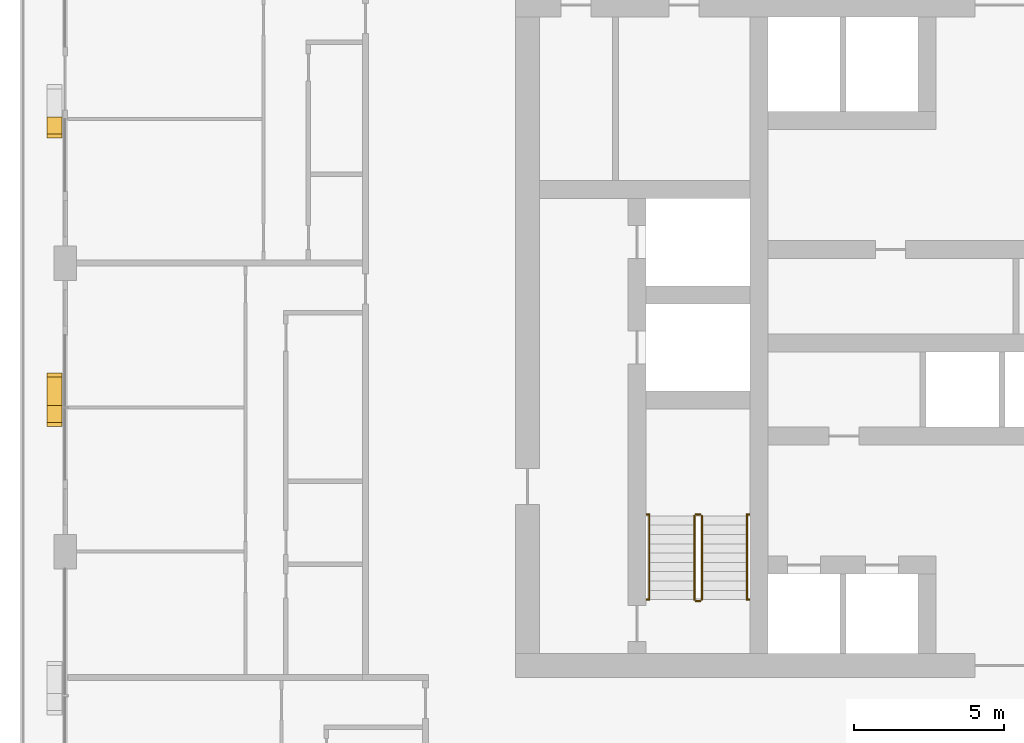
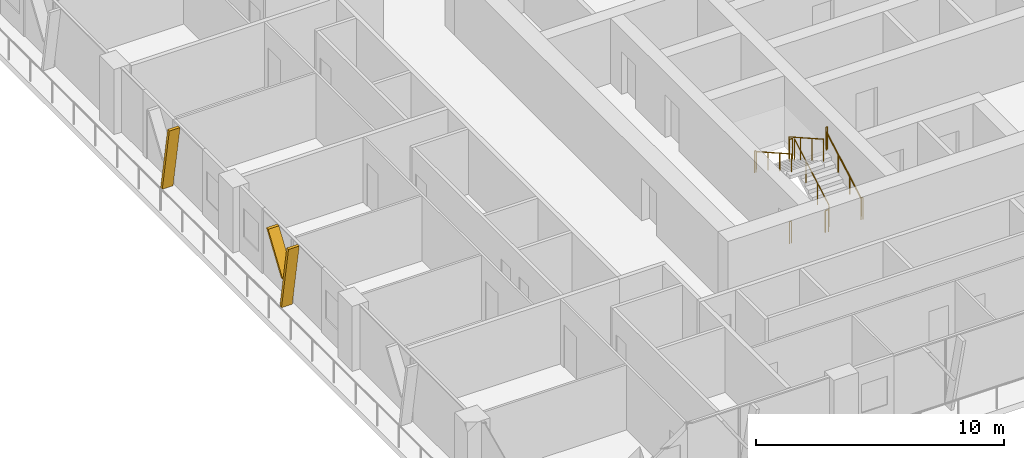
# One storey, part 17 of 22: 10 railings, 3 shading devices.
"""IFC4 building model written with IfcOpenShell, lengths in metres."""

from ifc_helpers import new_model, si_unit, direction, frame, origin, origin_2d, place, context, subcontext, project, spatial, polyline, circle, outline, extrude, material, type_object, element, save


model = new_model("IFC4")

# Units and contexts
model_context = context("Model", 3, precision=1e-05, world=origin(), true_north=direction((0.0, 1.0)))
body_context = subcontext(model_context, "Body", "Model", "MODEL_VIEW")
ifc_project = project(units=[si_unit("LENGTHUNIT", "METRE"), si_unit("AREAUNIT", "SQUARE_METRE"), si_unit("VOLUMEUNIT", "CUBIC_METRE"), si_unit("PLANEANGLEUNIT", "RADIAN"), si_unit("MASSUNIT", "GRAM", prefix="KILO")], contexts=[model_context])

# Site, building, storey
site_placement = place(None, origin())
site = spatial("IfcSite", under=ifc_project, at=site_placement, CompositionType="ELEMENT")
building_placement = place(site_placement, origin())
building = spatial("IfcBuilding", under=site, at=building_placement, Name="Madar Terraces", CompositionType="ELEMENT")
storey_placement = place(building_placement, frame((0.0, 0.0, 119.10009765625)))
storey = spatial("IfcBuildingStorey", under=building, at=storey_placement, Name="L30", CompositionType="ELEMENT", Elevation=119.10009765625)

# Shading devices
ifc_material_1 = material(Name="Aluminium, black anodised", Category="aluminium")
shading_device_type = type_object("IfcShadingDeviceType", Name="Facade fin blade 140 x 500", PredefinedType="USERDEFINED", material=ifc_material_1)
shading_device_1_placement = place(storey_placement, frame((-0.35009765625, 33.669921875, 0.0), z_axis=(0.0, 0.0, 1.0), x_axis=(0.0, -1.0, 0.0)))
element("IfcShadingDevice", 1, at=shading_device_1_placement, inside=storey, type_object=shading_device_type, Name="FIN L30 W2", ObjectType="FIN", PredefinedType="USERDEFINED", context=body_context, shape_type="SweptSolid", body=[
    extrude(outline(polyline([(0.0, 0.0), (0.139892578125, 0.0), (0.704345703125, 3.199951171875), (0.564208984375, 3.199951171875), (0.0, 0.0)])), frame((0.0, 0.25, 0.0), z_axis=(0.0, -1.0, 0.0), x_axis=(1.0, 0.0, 0.0)), (0.0, 0.0, 1.0), 0.5),
])
shading_device_2_placement = place(storey_placement, frame((-0.35009765625, 24.070068359375, 0.0), z_axis=(0.0, 0.0, 1.0), x_axis=(0.0, -1.0, 0.0)))
element("IfcShadingDevice", 2, at=shading_device_2_placement, inside=storey, type_object=shading_device_type, Name="FIN L30 W3", ObjectType="FIN", PredefinedType="USERDEFINED", context=body_context, shape_type="SweptSolid", body=[
    extrude(outline(polyline([(0.0, 0.0), (0.14013671875, 0.0), (0.704345703125, 3.199951171875), (0.564208984375, 3.199951171875), (0.0, 0.0)])), frame((0.0, 0.25, 0.0), z_axis=(0.0, -1.0, 0.0), x_axis=(1.0, 0.0, 0.0)), (0.0, 0.0, 1.0), 0.5),
])
shading_device_3_placement = place(storey_placement, frame((-0.35009765625, 23.9560546875, 1.43994140625), z_axis=(0.0, 0.0, 1.0), x_axis=(0.0, -1.0, 0.0)))
element("IfcShadingDevice", 3, at=shading_device_3_placement, inside=storey, type_object=shading_device_type, Name="FIN L30 W3 branch", ObjectType="FIN", PredefinedType="USERDEFINED", context=body_context, shape_type="SweptSolid", body=[
    extrude(outline(polyline([(0.0, 0.0), (0.139892578125, 0.0), (-1.049560546875, 1.760009765625), (-1.189697265625, 1.760009765625), (0.0, 0.0)])), frame((0.0, 0.25, 0.0), z_axis=(0.0, -1.0, 0.0), x_axis=(1.0, 0.0, 0.0)), (0.0, 0.0, 1.0), 0.5),
])

# Railings
ifc_material_2 = material(Name="Stainless steel railing", Category="steel")
railing_type_1 = type_object("IfcRailingType", Name="Stair guard 1100", PredefinedType="GUARDRAIL", material=ifc_material_2)
railing_1_placement = place(storey_placement, frame((21.199951171875, 17.60009765625, 0.1748046875)))
element("IfcRailing", 4, at=railing_1_placement, inside=storey, type_object=railing_type_1, Name="L30 ST1 stair guard 1", PredefinedType="GUARDRAIL", context=body_context, shape_type="SweptSolid", body=[
    extrude(circle(Radius=0.02392578125, at=origin_2d()), frame((0.0, 0.0, 1.076171875), z_axis=(0.0, 0.870782738816, 0.491667999549), x_axis=(-1.0, 0.0, 0.0)), (0.0, 0.0, 1.0), 3.203857421875),
    extrude(circle(Radius=0.02099609375, at=origin_2d()), origin(), (0.0, 0.0, 1.0), 1.052001953125),
    extrude(circle(Radius=0.02099609375, at=origin_2d()), frame((0.0, 0.929931640625, 0.525146484375)), (0.0, 0.0, 1.0), 1.052001953125),
    extrude(circle(Radius=0.02099609375, at=origin_2d()), frame((0.0, 1.85986328125, 1.050048828125)), (0.0, 0.0, 1.0), 1.052001953125),
    extrude(circle(Radius=0.02099609375, at=origin_2d()), frame((0.0, 2.789794921875, 1.5751953125)), (0.0, 0.0, 1.0), 1.052001953125),
])
railing_2_placement = place(storey_placement, frame((21.14990234375, 20.43994140625, 1.75)))
element("IfcRailing", 5, at=railing_2_placement, inside=storey, type_object=railing_type_1, Name="L30 ST1 stair guard 2", PredefinedType="GUARDRAIL", context=body_context, shape_type="SweptSolid", body=[
    extrude(circle(Radius=0.02392578125, at=origin_2d()), frame((0.0, 0.0, 1.076171875), z_axis=(-1.0, 0.0, 0.0), x_axis=(0.0, -1.0, 0.0)), (0.0, 0.0, 1.0), 0.14990234375),
    extrude(circle(Radius=0.02099609375, at=origin_2d()), origin(), (0.0, 0.0, 1.0), 1.052001953125),
    extrude(circle(Radius=0.02099609375, at=origin_2d()), frame((-0.14990234375, 0.0, 0.0)), (0.0, 0.0, 1.0), 1.052001953125),
])
railing_3_placement = place(storey_placement, frame((20.949951171875, 20.389892578125, 1.9248046875)))
element("IfcRailing", 6, at=railing_3_placement, inside=storey, type_object=railing_type_1, Name="L30 ST1 stair guard 3", PredefinedType="GUARDRAIL", context=body_context, shape_type="SweptSolid", body=[
    extrude(circle(Radius=0.02392578125, at=origin_2d()), frame((0.0, 0.0, 1.076171875), z_axis=(0.0, -0.870782738816, 0.491667999549), x_axis=(1.0, 0.0, 0.0)), (0.0, 0.0, 1.0), 3.203857421875),
    extrude(circle(Radius=0.02099609375, at=origin_2d()), origin(), (0.0, 0.0, 1.0), 1.052001953125),
    extrude(circle(Radius=0.02099609375, at=origin_2d()), frame((0.0, -0.929931640625, 0.525146484375)), (0.0, 0.0, 1.0), 1.052001953125),
    extrude(circle(Radius=0.02099609375, at=origin_2d()), frame((0.0, -1.85986328125, 1.050048828125)), (0.0, 0.0, 1.0), 1.052001953125),
    extrude(circle(Radius=0.02099609375, at=origin_2d()), frame((0.0, -2.789794921875, 1.5751953125)), (0.0, 0.0, 1.0), 1.052001953125),
])
railing_4_placement = place(storey_placement, frame((21.14990234375, 17.550048828125, 0.0)))
element("IfcRailing", 7, at=railing_4_placement, inside=storey, type_object=railing_type_1, Name="L30 ST1 stair guard 4", PredefinedType="GUARDRAIL", context=body_context, shape_type="SweptSolid", body=[
    extrude(circle(Radius=0.02392578125, at=origin_2d()), frame((0.0, 0.0, 1.076171875), z_axis=(-1.0, 0.0, 0.0), x_axis=(0.0, -1.0, 0.0)), (0.0, 0.0, 1.0), 0.14990234375),
    extrude(circle(Radius=0.02099609375, at=origin_2d()), origin(), (0.0, 0.0, 1.0), 1.052001953125),
    extrude(circle(Radius=0.02099609375, at=origin_2d()), frame((-0.14990234375, 0.0, 0.0)), (0.0, 0.0, 1.0), 1.052001953125),
])
railing_5_placement = place(storey_placement, frame((19.3701171875, 20.43994140625, 1.75)))
element("IfcRailing", 8, at=railing_5_placement, inside=storey, type_object=railing_type_1, Name="L30 stair guard seat 1", PredefinedType="GUARDRAIL", context=body_context, shape_type="SweptSolid", body=[
    extrude(circle(Radius=0.02392578125, at=origin_2d()), frame((0.0, 0.0, 1.076171875), z_axis=(1.0, 0.0, 0.0), x_axis=(0.0, 1.0, 0.0)), (0.0, 0.0, 1.0), 0.079833984375),
    extrude(circle(Radius=0.02099609375, at=origin_2d()), origin(), (0.0, 0.0, 1.0), 1.052001953125),
    extrude(circle(Radius=0.02099609375, at=origin_2d()), frame((0.079833984375, 0.0, 0.0)), (0.0, 0.0, 1.0), 1.052001953125),
])
railing_6_placement = place(storey_placement, frame((22.699951171875, 20.43994140625, 1.75)))
element("IfcRailing", 9, at=railing_6_placement, inside=storey, type_object=railing_type_1, Name="L30 stair guard seat 2", PredefinedType="GUARDRAIL", context=body_context, shape_type="SweptSolid", body=[
    extrude(circle(Radius=0.02392578125, at=origin_2d()), frame((0.0, 0.0, 1.076171875), z_axis=(1.0, 0.0, 0.0), x_axis=(0.0, 1.0, 0.0)), (0.0, 0.0, 1.0), 0.080078125),
    extrude(circle(Radius=0.02099609375, at=origin_2d()), origin(), (0.0, 0.0, 1.0), 1.052001953125),
    extrude(circle(Radius=0.02099609375, at=origin_2d()), frame((0.080078125, 0.0, 0.0)), (0.0, 0.0, 1.0), 1.052001953125),
])
railing_7_placement = place(storey_placement, frame((19.3701171875, 17.60009765625, 0.0)))
element("IfcRailing", 10, at=railing_7_placement, inside=storey, type_object=railing_type_1, Name="L30 stair guard floor 1", PredefinedType="GUARDRAIL", context=body_context, shape_type="SweptSolid", body=[
    extrude(circle(Radius=0.02392578125, at=origin_2d()), frame((0.0, 0.0, 1.076171875), z_axis=(1.0, 0.0, 0.0), x_axis=(0.0, 1.0, 0.0)), (0.0, 0.0, 1.0), 0.079833984375),
    extrude(circle(Radius=0.02099609375, at=origin_2d()), origin(), (0.0, 0.0, 1.0), 1.052001953125),
    extrude(circle(Radius=0.02099609375, at=origin_2d()), frame((0.079833984375, 0.0, 0.0)), (0.0, 0.0, 1.0), 1.052001953125),
])
railing_8_placement = place(storey_placement, frame((22.699951171875, 17.60009765625, 0.0)))
element("IfcRailing", 11, at=railing_8_placement, inside=storey, type_object=railing_type_1, Name="L30 stair guard floor 2", PredefinedType="GUARDRAIL", context=body_context, shape_type="SweptSolid", body=[
    extrude(circle(Radius=0.02392578125, at=origin_2d()), frame((0.0, 0.0, 1.076171875), z_axis=(1.0, 0.0, 0.0), x_axis=(0.0, 1.0, 0.0)), (0.0, 0.0, 1.0), 0.080078125),
    extrude(circle(Radius=0.02099609375, at=origin_2d()), origin(), (0.0, 0.0, 1.0), 1.052001953125),
    extrude(circle(Radius=0.02099609375, at=origin_2d()), frame((0.080078125, 0.0, 0.0)), (0.0, 0.0, 1.0), 1.052001953125),
])
ifc_material_3 = material(Name="Stainless steel railing", Category="steel")
railing_type_2 = type_object("IfcRailingType", Name="Stair handrail 900", PredefinedType="HANDRAIL", material=ifc_material_3)
railing_9_placement = place(storey_placement, frame((22.699951171875, 17.60009765625, 0.1748046875)))
element("IfcRailing", 12, at=railing_9_placement, inside=storey, type_object=railing_type_2, Name="L30 ST1 stair handrail 1", PredefinedType="HANDRAIL", context=body_context, shape_type="SweptSolid", body=[
    extrude(circle(Radius=0.02392578125, at=origin_2d()), frame((0.0, 0.0, 0.8759765625), z_axis=(0.0, 0.870782738816, 0.491667999549), x_axis=(-1.0, 0.0, 0.0)), (0.0, 0.0, 1.0), 3.203857421875),
    extrude(circle(Radius=0.02099609375, at=origin_2d()), origin(), (0.0, 0.0, 1.0), 0.851806640625),
    extrude(circle(Radius=0.02099609375, at=origin_2d()), frame((0.0, 0.929931640625, 0.525146484375)), (0.0, 0.0, 1.0), 0.851806640625),
    extrude(circle(Radius=0.02099609375, at=origin_2d()), frame((0.0, 1.85986328125, 1.050048828125)), (0.0, 0.0, 1.0), 0.851806640625),
    extrude(circle(Radius=0.02099609375, at=origin_2d()), frame((0.0, 2.789794921875, 1.5751953125)), (0.0, 0.0, 1.0), 0.851806640625),
])
railing_10_placement = place(storey_placement, frame((19.449951171875, 20.389892578125, 1.9248046875)))
element("IfcRailing", 13, at=railing_10_placement, inside=storey, type_object=railing_type_2, Name="L30 ST1 stair handrail 2", PredefinedType="HANDRAIL", context=body_context, shape_type="SweptSolid", body=[
    extrude(circle(Radius=0.02392578125, at=origin_2d()), frame((0.0, 0.0, 0.8759765625), z_axis=(0.0, -0.870782738816, 0.491667999549), x_axis=(1.0, 0.0, 0.0)), (0.0, 0.0, 1.0), 3.203857421875),
    extrude(circle(Radius=0.02099609375, at=origin_2d()), origin(), (0.0, 0.0, 1.0), 0.851806640625),
    extrude(circle(Radius=0.02099609375, at=origin_2d()), frame((0.0, -0.929931640625, 0.525146484375)), (0.0, 0.0, 1.0), 0.851806640625),
    extrude(circle(Radius=0.02099609375, at=origin_2d()), frame((0.0, -1.85986328125, 1.050048828125)), (0.0, 0.0, 1.0), 0.851806640625),
    extrude(circle(Radius=0.02099609375, at=origin_2d()), frame((0.0, -2.789794921875, 1.5751953125)), (0.0, 0.0, 1.0), 0.851806640625),
])

save(model, "model.ifc")
